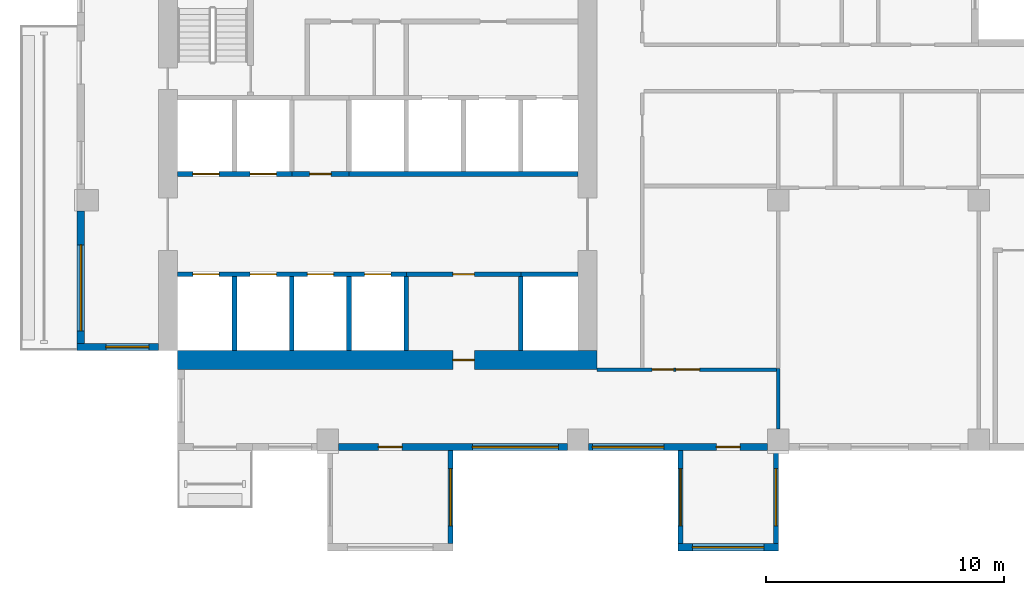
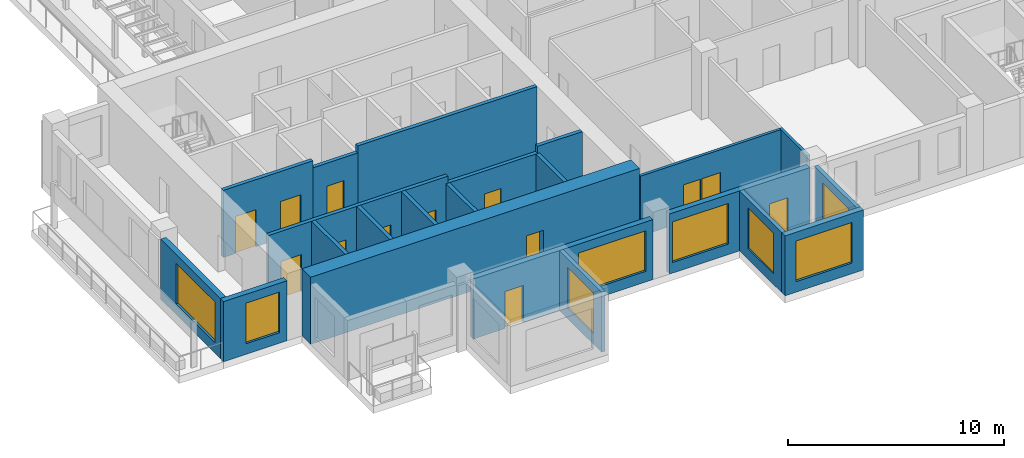
# One storey, part 4 of 14: 22 walls, 13 doors, 8 windows, 21 openings.
"""IFC4 building model written with IfcOpenShell, lengths in metres."""

from ifc_helpers import new_model, si_unit, direction, frame, frame_2d, origin, place, context, subcontext, project, spatial, rectangle, extrude, source, transform, mapped, material, layer, layer_set, type_object, element, fill, save


model = new_model("IFC4")

# Units and contexts
model_context = context("Model", 3, precision=1e-05, world=origin(), true_north=direction((0.0, 1.0)))
body_context = subcontext(model_context, "Body", "Model", "MODEL_VIEW")
ifc_project = project(units=[si_unit("LENGTHUNIT", "METRE"), si_unit("AREAUNIT", "SQUARE_METRE"), si_unit("VOLUMEUNIT", "CUBIC_METRE"), si_unit("PLANEANGLEUNIT", "RADIAN"), si_unit("MASSUNIT", "GRAM", prefix="KILO")], contexts=[model_context])

# Site, building, storey
site_placement = place(None, origin())
site = spatial("IfcSite", under=ifc_project, at=site_placement, CompositionType="ELEMENT")
building_placement = place(site_placement, origin())
building = spatial("IfcBuilding", under=site, at=building_placement, Name="Aurelian Terraces", CompositionType="ELEMENT")
storey_placement = place(building_placement, frame((0.0, 0.0, 185.4)))
storey = spatial("IfcBuildingStorey", under=building, at=storey_placement, Name="L40", CompositionType="ELEMENT", Elevation=185.4)

# Wall, opening, door
ifc_material_1 = material(Name="Concrete fc' 70 MPa", Category="concrete")
ifc_layer_1 = layer(ifc_material_1, 0.8)
ifc_layer_set_1 = layer_set([ifc_layer_1], Name="CORE WALL 800 FC70")
wall_type_1 = type_object("IfcWallType", Name="CORE WALL 800 FC70", PredefinedType="SHEAR", material=ifc_layer_set_1)
shared_shape_1 = source(origin(), body_context, "Body", "SweptSolid", [
    extrude(rectangle(XDim=17.6, YDim=0.8, at=frame_2d((8.8, 0.0))), origin(), (0.0, 0.0, 1.0), 3.8),
])
wall_1_placement = place(storey_placement, frame((4.2, 3.8, 0.0), z_axis=(0.0, 0.0, 1.0), x_axis=(1.0, 0.0, 0.0)))
wall_1 = element("IfcWall", 1, at=wall_1_placement, inside=storey, type_object=wall_type_1, Name="Core wall S L40", PredefinedType="SHEAR", context=body_context, shape_type="MappedRepresentation", body=[
    mapped(shared_shape_1, transform((0.0, 0.0, 0.0), scale=1.0)),
])
shared_shape_2 = source(origin(), body_context, "Body", "SweptSolid", [
    extrude(rectangle(XDim=0.9, YDim=2.1, at=frame_2d((0.45, 1.05))), frame((0.0, 0.41, 0.0), z_axis=(0.0, -1.0, 0.0), x_axis=(1.0, 0.0, 0.0)), (0.0, 0.0, 1.0), 0.82),
])
opening_1_placement = place(wall_1_placement, frame((11.55, 0.0, 0.0)))
opening_1 = element("IfcOpeningElement", 2, at=opening_1_placement, cuts=wall_1, Name="Opening 64325", PredefinedType="OPENING", context=body_context, shape_type="MappedRepresentation", body=[
    mapped(shared_shape_2, transform((0.0, 0.0, 0.0), scale=1.0)),
])
ifc_material_2 = material(Name="Steel door leaf", Category="steel")
door_type_1 = type_object("IfcDoorType", Name="Core service door 900x2100 right", OperationType="SINGLE_SWING_RIGHT", PredefinedType="DOOR", material=ifc_material_2)
shared_shape_3 = source(origin(), body_context, "Body", "SweptSolid", [
    extrude(rectangle(XDim=0.9, YDim=2.1, at=frame_2d((0.45, 1.05))), frame((0.0, 0.025, 0.0), z_axis=(0.0, -1.0, 0.0), x_axis=(1.0, 0.0, 0.0)), (0.0, 0.0, 1.0), 0.05),
])
door_1_placement = place(opening_1_placement, origin())
door_1 = element("IfcDoor", 3, at=door_1_placement, inside=storey, type_object=door_type_1, Name="Core door 64325", OperationType="SINGLE_SWING_RIGHT", OverallHeight=2.1, OverallWidth=0.9, PredefinedType="DOOR", context=body_context, shape_type="MappedRepresentation", body=[
    mapped(shared_shape_3, transform((0.0, 0.0, 0.0), scale=1.0)),
])
fill(opening_1, door_1)

# Wall, openings, window, door
ifc_material_3 = material(Name="Terracotta rainscreen cladding", Category="masonry")
ifc_layer_2 = layer(ifc_material_3, 0.3)
ifc_layer_set_2 = layer_set([ifc_layer_2], Name="EW-300")
wall_type_2 = type_object("IfcWallType", Name="EW-300", PredefinedType="STANDARD", material=ifc_layer_set_2)
shared_shape_4 = source(origin(), body_context, "Body", "SweptSolid", [
    extrude(rectangle(XDim=7.5, YDim=0.3, at=frame_2d((3.75, 0.0))), origin(), (0.0, 0.0, 1.0), 3.4),
])
wall_2_placement = place(storey_placement, frame((21.45, 0.15, 0.0), z_axis=(0.0, 0.0, 1.0), x_axis=(1.0, 0.0, 0.0)))
wall_2 = element("IfcWall", 4, at=wall_2_placement, inside=storey, type_object=wall_type_2, Name="External wall L40 F01.4", PredefinedType="STANDARD", context=body_context, shape_type="MappedRepresentation", body=[
    mapped(shared_shape_4, transform((0.0, 0.0, 0.0), scale=1.0)),
])
shared_shape_5 = source(origin(), body_context, "Body", "SweptSolid", [
    extrude(rectangle(XDim=3.0, YDim=2.3, at=frame_2d((1.5, 1.15))), frame((0.0, 0.16, 0.0), z_axis=(0.0, -1.0, 0.0), x_axis=(1.0, 0.0, 0.0)), (0.0, 0.0, 1.0), 0.32),
])
opening_2_placement = place(wall_2_placement, frame((0.15, 0.0, 0.6)))
opening_2 = element("IfcOpeningElement", 5, at=opening_2_placement, cuts=wall_2, Name="Opening W3023", PredefinedType="OPENING", context=body_context, shape_type="MappedRepresentation", body=[
    mapped(shared_shape_5, transform((0.0, 0.0, 0.0), scale=1.0)),
])
shared_shape_6 = source(origin(), body_context, "Body", "SweptSolid", [
    extrude(rectangle(XDim=1.0, YDim=2.1, at=frame_2d((0.5, 1.05))), frame((0.0, 0.16, 0.0), z_axis=(0.0, -1.0, 0.0), x_axis=(1.0, 0.0, 0.0)), (0.0, 0.0, 1.0), 0.32),
])
opening_3_placement = place(wall_2_placement, frame((5.35, 0.0, 0.0)))
opening_3 = element("IfcOpeningElement", 6, at=opening_3_placement, cuts=wall_2, Name="Opening 840002", PredefinedType="OPENING", context=body_context, shape_type="MappedRepresentation", body=[
    mapped(shared_shape_6, transform((0.0, 0.0, 0.0), scale=1.0)),
])
ifc_material_4 = material(Name="Clear glazing", Category="glass")
window_type_1 = type_object("IfcWindowType", Name="W-3000x2300", PartitioningType="SINGLE_PANEL", PredefinedType="WINDOW", material=ifc_material_4)
shared_shape_7 = source(origin(), body_context, "Body", "SweptSolid", [
    extrude(rectangle(XDim=3.0, YDim=2.3, at=frame_2d((1.5, 1.15))), frame((0.0, 0.03, 0.0), z_axis=(0.0, -1.0, 0.0), x_axis=(1.0, 0.0, 0.0)), (0.0, 0.0, 1.0), 0.06),
])
window_1_placement = place(opening_2_placement, origin())
window_1 = element("IfcWindow", 7, at=window_1_placement, inside=storey, type_object=window_type_1, Name="Window L40 L40-F01-04-0", OverallHeight=2.3, OverallWidth=3.0, PartitioningType="SINGLE_PANEL", PredefinedType="WINDOW", context=body_context, shape_type="MappedRepresentation", body=[
    mapped(shared_shape_7, transform((0.0, 0.0, 0.0), scale=1.0)),
])
fill(opening_2, window_1)
ifc_material_5 = material(Name="Timber door leaf", Category="wood")
door_type_2 = type_object("IfcDoorType", Name="Room door 1000x2100 left", OperationType="SINGLE_SWING_LEFT", PredefinedType="DOOR", material=ifc_material_5)
shared_shape_8 = source(origin(), body_context, "Body", "SweptSolid", [
    extrude(rectangle(XDim=1.0, YDim=2.1, at=frame_2d((0.5, 1.05))), frame((0.0, 0.025, 0.0), z_axis=(0.0, -1.0, 0.0), x_axis=(1.0, 0.0, 0.0)), (0.0, 0.0, 1.0), 0.05),
])
door_2_placement = place(opening_3_placement, origin())
door_2 = element("IfcDoor", 8, at=door_2_placement, inside=storey, type_object=door_type_2, Name="Door 840002", OperationType="SINGLE_SWING_LEFT", OverallHeight=2.1, OverallWidth=1.0, PredefinedType="DOOR", context=body_context, shape_type="MappedRepresentation", body=[
    mapped(shared_shape_8, transform((0.0, 0.0, 0.0), scale=1.0)),
])
fill(opening_3, door_2)

# Wall, opening, window
shared_shape_9 = source(origin(), body_context, "Body", "SweptSolid", [
    extrude(rectangle(XDim=3.4, YDim=0.3, at=frame_2d((1.7, 0.0))), origin(), (0.0, 0.0, 1.0), 3.4),
])
wall_3_placement = place(storey_placement, frame((0.0, 4.35, 0.0), z_axis=(0.0, 0.0, 1.0), x_axis=(1.0, 0.0, 0.0)))
wall_3 = element("IfcWall", 9, at=wall_3_placement, inside=storey, type_object=wall_type_2, Name="External wall L40 F23.40", PredefinedType="STANDARD", context=body_context, shape_type="MappedRepresentation", body=[
    mapped(shared_shape_9, transform((0.0, 0.0, 0.0), scale=1.0)),
])
shared_shape_10 = source(origin(), body_context, "Body", "SweptSolid", [
    extrude(rectangle(XDim=1.8, YDim=2.3, at=frame_2d((0.9, 1.15))), frame((0.0, 0.16, 0.0), z_axis=(0.0, -1.0, 0.0), x_axis=(1.0, 0.0, 0.0)), (0.0, 0.0, 1.0), 0.32),
])
opening_4_placement = place(wall_3_placement, frame((1.2, 0.0, 0.6)))
opening_4 = element("IfcOpeningElement", 10, at=opening_4_placement, cuts=wall_3, Name="Opening W1823", PredefinedType="OPENING", context=body_context, shape_type="MappedRepresentation", body=[
    mapped(shared_shape_10, transform((0.0, 0.0, 0.0), scale=1.0)),
])
window_type_2 = type_object("IfcWindowType", Name="W-1800x2300", PartitioningType="SINGLE_PANEL", PredefinedType="WINDOW", material=ifc_material_4)
shared_shape_11 = source(origin(), body_context, "Body", "SweptSolid", [
    extrude(rectangle(XDim=1.8, YDim=2.3, at=frame_2d((0.9, 1.15))), frame((0.0, 0.03, 0.0), z_axis=(0.0, -1.0, 0.0), x_axis=(1.0, 0.0, 0.0)), (0.0, 0.0, 1.0), 0.06),
])
window_2_placement = place(opening_4_placement, origin())
window_2 = element("IfcWindow", 11, at=window_2_placement, inside=storey, type_object=window_type_2, Name="Window L40 L40-F23-40-0", OverallHeight=2.3, OverallWidth=1.8, PartitioningType="SINGLE_PANEL", PredefinedType="WINDOW", context=body_context, shape_type="MappedRepresentation", body=[
    mapped(shared_shape_11, transform((0.0, 0.0, 0.0), scale=1.0)),
])
fill(opening_4, window_2)

ifc_material_6 = material(Name="Concrete fc' 40 MPa", Category="concrete")
ifc_layer_3 = layer(ifc_material_6, 0.2)
ifc_layer_set_3 = layer_set([ifc_layer_3], Name="BOX BEARING WALL 200")
wall_type_3 = type_object("IfcWallType", Name="BOX BEARING WALL 200", PredefinedType="SOLIDWALL", material=ifc_layer_set_3)
shared_shape_12 = source(origin(), body_context, "Body", "SweptSolid", [
    extrude(rectangle(XDim=3.9, YDim=0.2, at=frame_2d((1.95, 0.0))), origin(), (0.0, 0.0, 1.0), 3.4),
])
wall_4_placement = place(storey_placement, frame((15.65, 0.0, 0.0), z_axis=(0.0, 0.0, 1.0), x_axis=(0.0, -1.0, 0.0)))
wall_4 = element("IfcWall", 12, at=wall_4_placement, inside=storey, type_object=wall_type_3, Name="Box return L40 J54.2", PredefinedType="SOLIDWALL", context=body_context, shape_type="MappedRepresentation", body=[
    mapped(shared_shape_12, transform((0.0, 0.0, 0.0), scale=1.0)),
])
shared_shape_13 = source(origin(), body_context, "Body", "SweptSolid", [
    extrude(rectangle(XDim=2.4, YDim=2.3, at=frame_2d((1.2, 1.15))), frame((0.0, 0.11, 0.0), z_axis=(0.0, -1.0, 0.0), x_axis=(1.0, 0.0, 0.0)), (0.0, 0.0, 1.0), 0.22),
])
opening_5_placement = place(wall_4_placement, frame((0.75, 0.0, 0.6)))
opening_5 = element("IfcOpeningElement", 13, at=opening_5_placement, cuts=wall_4, Name="Opening W2423", PredefinedType="OPENING", context=body_context, shape_type="MappedRepresentation", body=[
    mapped(shared_shape_13, transform((0.0, 0.0, 0.0), scale=1.0)),
])
window_type_3 = type_object("IfcWindowType", Name="W-2400x2300", PartitioningType="SINGLE_PANEL", PredefinedType="WINDOW", material=ifc_material_4)
shared_shape_14 = source(origin(), body_context, "Body", "SweptSolid", [
    extrude(rectangle(XDim=2.4, YDim=2.3, at=frame_2d((1.2, 1.15))), frame((0.0, 0.03, 0.0), z_axis=(0.0, -1.0, 0.0), x_axis=(1.0, 0.0, 0.0)), (0.0, 0.0, 1.0), 0.06),
])
window_3_placement = place(opening_5_placement, origin())
window_3 = element("IfcWindow", 14, at=window_3_placement, inside=storey, type_object=window_type_3, Name="Window L40 J54-S2", OverallHeight=2.3, OverallWidth=2.4, PartitioningType="SINGLE_PANEL", PredefinedType="WINDOW", context=body_context, shape_type="MappedRepresentation", body=[
    mapped(shared_shape_14, transform((0.0, 0.0, 0.0), scale=1.0)),
])
fill(opening_5, window_3)

wall_5_placement = place(storey_placement, frame((25.3, 0.0, 0.0), z_axis=(0.0, 0.0, 1.0), x_axis=(0.0, -1.0, 0.0)))
wall_5 = element("IfcWall", 15, at=wall_5_placement, inside=storey, type_object=wall_type_3, Name="Box return L40 J55.1", PredefinedType="SOLIDWALL", context=body_context, shape_type="MappedRepresentation", body=[
    mapped(shared_shape_12, transform((0.0, 0.0, 0.0), scale=1.0)),
])
opening_6_placement = place(wall_5_placement, frame((0.75, 0.0, 0.6)))
opening_6 = element("IfcOpeningElement", 16, at=opening_6_placement, cuts=wall_5, Name="Opening W2423", PredefinedType="OPENING", context=body_context, shape_type="MappedRepresentation", body=[
    mapped(shared_shape_13, transform((0.0, 0.0, 0.0), scale=1.0)),
])
window_4_placement = place(opening_6_placement, origin())
window_4 = element("IfcWindow", 17, at=window_4_placement, inside=storey, type_object=window_type_3, Name="Window L40 J55-S1", OverallHeight=2.3, OverallWidth=2.4, PartitioningType="SINGLE_PANEL", PredefinedType="WINDOW", context=body_context, shape_type="MappedRepresentation", body=[
    mapped(shared_shape_14, transform((0.0, 0.0, 0.0), scale=1.0)),
])
fill(opening_6, window_4)

wall_6_placement = place(storey_placement, frame((29.3, 0.0, 0.0), z_axis=(0.0, 0.0, 1.0), x_axis=(0.0, -1.0, 0.0)))
wall_6 = element("IfcWall", 18, at=wall_6_placement, inside=storey, type_object=wall_type_3, Name="Box return L40 J55.2", PredefinedType="SOLIDWALL", context=body_context, shape_type="MappedRepresentation", body=[
    mapped(shared_shape_12, transform((0.0, 0.0, 0.0), scale=1.0)),
])
opening_7_placement = place(wall_6_placement, frame((0.75, 0.0, 0.6)))
opening_7 = element("IfcOpeningElement", 19, at=opening_7_placement, cuts=wall_6, Name="Opening W2423", PredefinedType="OPENING", context=body_context, shape_type="MappedRepresentation", body=[
    mapped(shared_shape_13, transform((0.0, 0.0, 0.0), scale=1.0)),
])
window_5_placement = place(opening_7_placement, origin())
window_5 = element("IfcWindow", 20, at=window_5_placement, inside=storey, type_object=window_type_3, Name="Window L40 J55-S2", OverallHeight=2.3, OverallWidth=2.4, PartitioningType="SINGLE_PANEL", PredefinedType="WINDOW", context=body_context, shape_type="MappedRepresentation", body=[
    mapped(shared_shape_14, transform((0.0, 0.0, 0.0), scale=1.0)),
])
fill(opening_7, window_5)

ifc_layer_4 = layer(ifc_material_6, 0.3)
ifc_layer_set_4 = layer_set([ifc_layer_4], Name="BOX BEARING WALL 300")
wall_type_4 = type_object("IfcWallType", Name="BOX BEARING WALL 300", PredefinedType="SOLIDWALL", material=ifc_layer_set_4)
shared_shape_15 = source(origin(), body_context, "Body", "SweptSolid", [
    extrude(rectangle(XDim=4.2, YDim=0.3, at=frame_2d((2.1, 0.0))), origin(), (0.0, 0.0, 1.0), 3.4),
])
wall_7_placement = place(storey_placement, frame((25.2, -4.05, 0.0), z_axis=(0.0, 0.0, 1.0), x_axis=(1.0, 0.0, 0.0)))
wall_7 = element("IfcWall", 21, at=wall_7_placement, inside=storey, type_object=wall_type_4, Name="Box wall L40 J55", PredefinedType="SOLIDWALL", context=body_context, shape_type="MappedRepresentation", body=[
    mapped(shared_shape_15, transform((0.0, 0.0, 0.0), scale=1.0)),
])
opening_8_placement = place(wall_7_placement, frame((0.6, 0.0, 0.6)))
opening_8 = element("IfcOpeningElement", 22, at=opening_8_placement, cuts=wall_7, Name="Opening W3023", PredefinedType="OPENING", context=body_context, shape_type="MappedRepresentation", body=[
    mapped(shared_shape_5, transform((0.0, 0.0, 0.0), scale=1.0)),
])
window_6_placement = place(opening_8_placement, origin())
window_6 = element("IfcWindow", 23, at=window_6_placement, inside=storey, type_object=window_type_1, Name="Window L40 J55-F1", OverallHeight=2.3, OverallWidth=3.0, PartitioningType="SINGLE_PANEL", PredefinedType="WINDOW", context=body_context, shape_type="MappedRepresentation", body=[
    mapped(shared_shape_7, transform((0.0, 0.0, 0.0), scale=1.0)),
])
fill(opening_8, window_6)

shared_shape_16 = source(origin(), body_context, "Body", "SweptSolid", [
    extrude(rectangle(XDim=5.85, YDim=0.3, at=frame_2d((2.925, 0.0))), origin(), (0.0, 0.0, 1.0), 3.4),
])
wall_8_placement = place(storey_placement, frame((0.15, 10.05, 0.0), z_axis=(0.0, 0.0, 1.0), x_axis=(0.0, -1.0, 0.0)))
wall_8 = element("IfcWall", 24, at=wall_8_placement, inside=storey, type_object=wall_type_2, Name="External wall L40 F22.39", PredefinedType="STANDARD", context=body_context, shape_type="MappedRepresentation", body=[
    mapped(shared_shape_16, transform((0.0, 0.0, 0.0), scale=1.0)),
])
shared_shape_17 = source(origin(), body_context, "Body", "SweptSolid", [
    extrude(rectangle(XDim=3.6, YDim=2.3, at=frame_2d((1.8, 1.15))), frame((0.0, 0.16, 0.0), z_axis=(0.0, -1.0, 0.0), x_axis=(1.0, 0.0, 0.0)), (0.0, 0.0, 1.0), 0.32),
])
opening_9_placement = place(wall_8_placement, frame((1.425, 0.0, 0.6)))
opening_9 = element("IfcOpeningElement", 25, at=opening_9_placement, cuts=wall_8, Name="Opening W3623", PredefinedType="OPENING", context=body_context, shape_type="MappedRepresentation", body=[
    mapped(shared_shape_17, transform((0.0, 0.0, 0.0), scale=1.0)),
])
window_type_4 = type_object("IfcWindowType", Name="W-3600x2300", PartitioningType="SINGLE_PANEL", PredefinedType="WINDOW", material=ifc_material_4)
shared_shape_18 = source(origin(), body_context, "Body", "SweptSolid", [
    extrude(rectangle(XDim=3.6, YDim=2.3, at=frame_2d((1.8, 1.15))), frame((0.0, 0.03, 0.0), z_axis=(0.0, -1.0, 0.0), x_axis=(1.0, 0.0, 0.0)), (0.0, 0.0, 1.0), 0.06),
])
window_7_placement = place(opening_9_placement, origin())
window_7 = element("IfcWindow", 26, at=window_7_placement, inside=storey, type_object=window_type_4, Name="Window L40 L40-F22-39-2", OverallHeight=2.3, OverallWidth=3.6, PartitioningType="SINGLE_PANEL", PredefinedType="WINDOW", context=body_context, shape_type="MappedRepresentation", body=[
    mapped(shared_shape_18, transform((0.0, 0.0, 0.0), scale=1.0)),
])
fill(opening_9, window_7)

# Wall, openings, window, door
shared_shape_19 = source(origin(), body_context, "Body", "SweptSolid", [
    extrude(rectangle(XDim=9.6, YDim=0.3, at=frame_2d((4.8, 0.0))), origin(), (0.0, 0.0, 1.0), 3.4),
])
wall_9_placement = place(storey_placement, frame((10.95, 0.15, 0.0), z_axis=(0.0, 0.0, 1.0), x_axis=(1.0, 0.0, 0.0)))
wall_9 = element("IfcWall", 27, at=wall_9_placement, inside=storey, type_object=wall_type_2, Name="External wall L40 F01.3", PredefinedType="STANDARD", context=body_context, shape_type="MappedRepresentation", body=[
    mapped(shared_shape_19, transform((0.0, 0.0, 0.0), scale=1.0)),
])
opening_10_placement = place(wall_9_placement, frame((5.625, 0.0, 0.6)))
opening_10 = element("IfcOpeningElement", 28, at=opening_10_placement, cuts=wall_9, Name="Opening W3623", PredefinedType="OPENING", context=body_context, shape_type="MappedRepresentation", body=[
    mapped(shared_shape_17, transform((0.0, 0.0, 0.0), scale=1.0)),
])
opening_11_placement = place(wall_9_placement, frame((1.675, 0.0, 0.0)))
opening_11 = element("IfcOpeningElement", 29, at=opening_11_placement, cuts=wall_9, Name="Opening 840001", PredefinedType="OPENING", context=body_context, shape_type="MappedRepresentation", body=[
    mapped(shared_shape_6, transform((0.0, 0.0, 0.0), scale=1.0)),
])
window_8_placement = place(opening_10_placement, origin())
window_8 = element("IfcWindow", 30, at=window_8_placement, inside=storey, type_object=window_type_4, Name="Window L40 L40-F01-03-1", OverallHeight=2.3, OverallWidth=3.6, PartitioningType="SINGLE_PANEL", PredefinedType="WINDOW", context=body_context, shape_type="MappedRepresentation", body=[
    mapped(shared_shape_18, transform((0.0, 0.0, 0.0), scale=1.0)),
])
fill(opening_10, window_8)
door_3_placement = place(opening_11_placement, origin())
door_3 = element("IfcDoor", 31, at=door_3_placement, inside=storey, type_object=door_type_2, Name="Door 840001", OperationType="SINGLE_SWING_LEFT", OverallHeight=2.1, OverallWidth=1.0, PredefinedType="DOOR", context=body_context, shape_type="MappedRepresentation", body=[
    mapped(shared_shape_8, transform((0.0, 0.0, 0.0), scale=1.0)),
])
fill(opening_11, door_3)

# Walls
ifc_layer_5 = layer(ifc_material_6, 0.2)
ifc_layer_set_5 = layer_set([ifc_layer_5], Name="Lift shaft wall 200")
wall_type_5 = type_object("IfcWallType", Name="Lift shaft wall 200", PredefinedType="SOLIDWALL", material=ifc_layer_set_5)
shared_shape_20 = source(origin(), body_context, "Body", "SweptSolid", [
    extrude(rectangle(XDim=3.1, YDim=0.2, at=frame_2d((1.55, 0.0))), origin(), (0.0, 0.0, 1.0), 3.8),
])
for number, where, z_axis, x_axis, name in (
    (32, (6.6, 4.2, 0.0), (0.0, 0.0, 1.0), (0.0, 1.0, 0.0), "L40 core wall CD-A1"),
    (33, (9.0, 4.2, 0.0), (0.0, 0.0, 1.0), (0.0, 1.0, 0.0), "L40 core wall CD-A2"),
    (34, (11.4, 4.2, 0.0), (0.0, 0.0, 1.0), (0.0, 1.0, 0.0), "L40 core wall CD-A3"),
):
    element("IfcWall", number, at=place(storey_placement, frame(where, z_axis=z_axis, x_axis=x_axis)), inside=storey, type_object=wall_type_5, Name=name, PredefinedType="SOLIDWALL", context=body_context, shape_type="MappedRepresentation", body=[
        mapped(shared_shape_20, transform((0.0, 0.0, 0.0), scale=1.0)),
    ])
shared_shape_21 = source(origin(), body_context, "Body", "SweptSolid", [
    extrude(rectangle(XDim=3.1, YDim=0.2, at=frame_2d((1.55, 0.0))), origin(), (0.0, 0.0, 1.0), 3.4),
])
for number, where, z_axis, x_axis, name in (
    (35, (13.8, 4.2, 0.0), (0.0, 0.0, 1.0), (0.0, 1.0, 0.0), "L40 core wall CD-A4"),
    (36, (18.6, 4.2, 0.0), (0.0, 0.0, 1.0), (0.0, 1.0, 0.0), "L40 core wall CD-A6"),
):
    element("IfcWall", number, at=place(storey_placement, frame(where, z_axis=z_axis, x_axis=x_axis)), inside=storey, type_object=wall_type_5, Name=name, PredefinedType="SOLIDWALL", context=body_context, shape_type="MappedRepresentation", body=[
        mapped(shared_shape_21, transform((0.0, 0.0, 0.0), scale=1.0)),
    ])

# Wall, openings, doors
shared_shape_22 = source(origin(), body_context, "Body", "SweptSolid", [
    extrude(rectangle(XDim=9.6, YDim=0.2, at=frame_2d((4.8, 0.0))), origin(), (0.0, 0.0, 1.0), 3.8),
])
wall_10_placement = place(storey_placement, frame((4.2, 7.4, 0.0), z_axis=(0.0, 0.0, 1.0), x_axis=(1.0, 0.0, 0.0)))
wall_10 = element("IfcWall", 37, at=wall_10_placement, inside=storey, type_object=wall_type_5, Name="L40 core wall CF-AF1", PredefinedType="SOLIDWALL", context=body_context, shape_type="MappedRepresentation", body=[
    mapped(shared_shape_22, transform((0.0, 0.0, 0.0), scale=1.0)),
])
shared_shape_23 = source(origin(), body_context, "Body", "SweptSolid", [
    extrude(rectangle(XDim=1.1, YDim=2.1, at=frame_2d((0.55, 1.05))), frame((0.0, 0.11, 0.0), z_axis=(0.0, -1.0, 0.0), x_axis=(1.0, 0.0, 0.0)), (0.0, 0.0, 1.0), 0.22),
])
opening_12_placement = place(wall_10_placement, frame((0.65, 0.0, 0.0)))
opening_12 = element("IfcOpeningElement", 38, at=opening_12_placement, cuts=wall_10, Name="Opening 64300", PredefinedType="OPENING", context=body_context, shape_type="MappedRepresentation", body=[
    mapped(shared_shape_23, transform((0.0, 0.0, 0.0), scale=1.0)),
])
opening_13_placement = place(wall_10_placement, frame((3.05, 0.0, 0.0)))
opening_13 = element("IfcOpeningElement", 39, at=opening_13_placement, cuts=wall_10, Name="Opening 64301", PredefinedType="OPENING", context=body_context, shape_type="MappedRepresentation", body=[
    mapped(shared_shape_23, transform((0.0, 0.0, 0.0), scale=1.0)),
])
opening_14_placement = place(wall_10_placement, frame((5.45, 0.0, 0.0)))
opening_14 = element("IfcOpeningElement", 40, at=opening_14_placement, cuts=wall_10, Name="Opening 64302", PredefinedType="OPENING", context=body_context, shape_type="MappedRepresentation", body=[
    mapped(shared_shape_23, transform((0.0, 0.0, 0.0), scale=1.0)),
])
opening_15_placement = place(wall_10_placement, frame((7.85, 0.0, 0.0)))
opening_15 = element("IfcOpeningElement", 41, at=opening_15_placement, cuts=wall_10, Name="Opening 64303", PredefinedType="OPENING", context=body_context, shape_type="MappedRepresentation", body=[
    mapped(shared_shape_23, transform((0.0, 0.0, 0.0), scale=1.0)),
])
ifc_material_7 = material(Name="Stainless steel", Category="steel")
door_type_3 = type_object("IfcDoorType", Name="Lift landing door 1100x2100", OperationType="SLIDING_TO_LEFT", PredefinedType="DOOR", material=ifc_material_7)
shared_shape_24 = source(origin(), body_context, "Body", "SweptSolid", [
    extrude(rectangle(XDim=1.1, YDim=2.1, at=frame_2d((0.55, 1.05))), frame((0.0, 0.025, 0.0), z_axis=(0.0, -1.0, 0.0), x_axis=(1.0, 0.0, 0.0)), (0.0, 0.0, 1.0), 0.05),
])
door_4_placement = place(opening_12_placement, origin())
door_4 = element("IfcDoor", 42, at=door_4_placement, inside=storey, type_object=door_type_3, Name="Lift landing door LM1 L40", OperationType="SLIDING_TO_LEFT", OverallHeight=2.1, OverallWidth=1.1, PredefinedType="DOOR", context=body_context, shape_type="MappedRepresentation", body=[
    mapped(shared_shape_24, transform((0.0, 0.0, 0.0), scale=1.0)),
])
fill(opening_12, door_4)
door_5_placement = place(opening_13_placement, origin())
door_5 = element("IfcDoor", 43, at=door_5_placement, inside=storey, type_object=door_type_3, Name="Lift landing door LM2 L40", OperationType="SLIDING_TO_LEFT", OverallHeight=2.1, OverallWidth=1.1, PredefinedType="DOOR", context=body_context, shape_type="MappedRepresentation", body=[
    mapped(shared_shape_24, transform((0.0, 0.0, 0.0), scale=1.0)),
])
fill(opening_13, door_5)
door_6_placement = place(opening_14_placement, origin())
door_6 = element("IfcDoor", 44, at=door_6_placement, inside=storey, type_object=door_type_3, Name="Lift landing door LM3 L40", OperationType="SLIDING_TO_LEFT", OverallHeight=2.1, OverallWidth=1.1, PredefinedType="DOOR", context=body_context, shape_type="MappedRepresentation", body=[
    mapped(shared_shape_24, transform((0.0, 0.0, 0.0), scale=1.0)),
])
fill(opening_14, door_6)
door_7_placement = place(opening_15_placement, origin())
door_7 = element("IfcDoor", 45, at=door_7_placement, inside=storey, type_object=door_type_3, Name="Lift landing door LM4 L40", OperationType="SLIDING_TO_LEFT", OverallHeight=2.1, OverallWidth=1.1, PredefinedType="DOOR", context=body_context, shape_type="MappedRepresentation", body=[
    mapped(shared_shape_24, transform((0.0, 0.0, 0.0), scale=1.0)),
])
fill(opening_15, door_7)

# Wall
wall_11_placement = place(storey_placement, frame((11.4, 11.6, 0.0), z_axis=(0.0, 0.0, 1.0), x_axis=(1.0, 0.0, 0.0)))
element("IfcWall", 46, at=wall_11_placement, inside=storey, type_object=wall_type_5, Name="L40 core wall CF-BF3", PredefinedType="SOLIDWALL", context=body_context, shape_type="MappedRepresentation", body=[
    mapped(shared_shape_22, transform((0.0, 0.0, 0.0), scale=1.0)),
])

# Wall, openings, doors
shared_shape_25 = source(origin(), body_context, "Body", "SweptSolid", [
    extrude(rectangle(XDim=4.8, YDim=0.2, at=frame_2d((2.4, 0.0))), origin(), (0.0, 0.0, 1.0), 3.8),
])
wall_12_placement = place(storey_placement, frame((4.2, 11.6, 0.0), z_axis=(0.0, 0.0, 1.0), x_axis=(1.0, 0.0, 0.0)))
wall_12 = element("IfcWall", 47, at=wall_12_placement, inside=storey, type_object=wall_type_5, Name="L40 core wall CF-BF1", PredefinedType="SOLIDWALL", context=body_context, shape_type="MappedRepresentation", body=[
    mapped(shared_shape_25, transform((0.0, 0.0, 0.0), scale=1.0)),
])
opening_16_placement = place(wall_12_placement, frame((0.65, 0.0, 0.0)))
opening_16 = element("IfcOpeningElement", 48, at=opening_16_placement, cuts=wall_12, Name="Opening 64305", PredefinedType="OPENING", context=body_context, shape_type="MappedRepresentation", body=[
    mapped(shared_shape_23, transform((0.0, 0.0, 0.0), scale=1.0)),
])
opening_17_placement = place(wall_12_placement, frame((3.05, 0.0, 0.0)))
opening_17 = element("IfcOpeningElement", 49, at=opening_17_placement, cuts=wall_12, Name="Opening 64306", PredefinedType="OPENING", context=body_context, shape_type="MappedRepresentation", body=[
    mapped(shared_shape_23, transform((0.0, 0.0, 0.0), scale=1.0)),
])
door_8_placement = place(opening_16_placement, origin())
door_8 = element("IfcDoor", 50, at=door_8_placement, inside=storey, type_object=door_type_3, Name="Lift landing door LM5 L40", OperationType="SLIDING_TO_LEFT", OverallHeight=2.1, OverallWidth=1.1, PredefinedType="DOOR", context=body_context, shape_type="MappedRepresentation", body=[
    mapped(shared_shape_24, transform((0.0, 0.0, 0.0), scale=1.0)),
])
fill(opening_16, door_8)
door_9_placement = place(opening_17_placement, origin())
door_9 = element("IfcDoor", 51, at=door_9_placement, inside=storey, type_object=door_type_3, Name="Lift landing door LM6 L40", OperationType="SLIDING_TO_LEFT", OverallHeight=2.1, OverallWidth=1.1, PredefinedType="DOOR", context=body_context, shape_type="MappedRepresentation", body=[
    mapped(shared_shape_24, transform((0.0, 0.0, 0.0), scale=1.0)),
])
fill(opening_17, door_9)

# Wall, opening, door
shared_shape_26 = source(origin(), body_context, "Body", "SweptSolid", [
    extrude(rectangle(XDim=2.4, YDim=0.2, at=frame_2d((1.2, 0.0))), origin(), (0.0, 0.0, 1.0), 3.4),
])
wall_13_placement = place(storey_placement, frame((9.0, 11.6, 0.0), z_axis=(0.0, 0.0, 1.0), x_axis=(1.0, 0.0, 0.0)))
wall_13 = element("IfcWall", 52, at=wall_13_placement, inside=storey, type_object=wall_type_5, Name="L40 core wall CF-BF2", PredefinedType="SOLIDWALL", context=body_context, shape_type="MappedRepresentation", body=[
    mapped(shared_shape_26, transform((0.0, 0.0, 0.0), scale=1.0)),
])
shared_shape_27 = source(origin(), body_context, "Body", "SweptSolid", [
    extrude(rectangle(XDim=0.9, YDim=2.1, at=frame_2d((0.45, 1.05))), frame((0.0, 0.11, 0.0), z_axis=(0.0, -1.0, 0.0), x_axis=(1.0, 0.0, 0.0)), (0.0, 0.0, 1.0), 0.22),
])
opening_18_placement = place(wall_13_placement, frame((0.75, 0.0, 0.0)))
opening_18 = element("IfcOpeningElement", 53, at=opening_18_placement, cuts=wall_13, Name="Opening 64307", PredefinedType="OPENING", context=body_context, shape_type="MappedRepresentation", body=[
    mapped(shared_shape_27, transform((0.0, 0.0, 0.0), scale=1.0)),
])
door_type_4 = type_object("IfcDoorType", Name="Core service door 900x2100", OperationType="SINGLE_SWING_LEFT", PredefinedType="DOOR", material=ifc_material_2)
door_10_placement = place(opening_18_placement, origin())
door_10 = element("IfcDoor", 54, at=door_10_placement, inside=storey, type_object=door_type_4, Name="Room door 64307", OperationType="SINGLE_SWING_LEFT", OverallHeight=2.1, OverallWidth=0.9, PredefinedType="DOOR", context=body_context, shape_type="MappedRepresentation", body=[
    mapped(shared_shape_3, transform((0.0, 0.0, 0.0), scale=1.0)),
])
fill(opening_18, door_10)

shared_shape_28 = source(origin(), body_context, "Body", "SweptSolid", [
    extrude(rectangle(XDim=4.8, YDim=0.2, at=frame_2d((2.4, 0.0))), origin(), (0.0, 0.0, 1.0), 3.4),
])
wall_14_placement = place(storey_placement, frame((13.8, 7.4, 0.0), z_axis=(0.0, 0.0, 1.0), x_axis=(1.0, 0.0, 0.0)))
wall_14 = element("IfcWall", 55, at=wall_14_placement, inside=storey, type_object=wall_type_5, Name="L40 core wall CF-AF2", PredefinedType="SOLIDWALL", context=body_context, shape_type="MappedRepresentation", body=[
    mapped(shared_shape_28, transform((0.0, 0.0, 0.0), scale=1.0)),
])
opening_19_placement = place(wall_14_placement, frame((1.95, 0.0, 0.0)))
opening_19 = element("IfcOpeningElement", 56, at=opening_19_placement, cuts=wall_14, Name="Opening 64304", PredefinedType="OPENING", context=body_context, shape_type="MappedRepresentation", body=[
    mapped(shared_shape_27, transform((0.0, 0.0, 0.0), scale=1.0)),
])
door_11_placement = place(opening_19_placement, origin())
door_11 = element("IfcDoor", 57, at=door_11_placement, inside=storey, type_object=door_type_1, Name="Room door 64304", OperationType="SINGLE_SWING_RIGHT", OverallHeight=2.1, OverallWidth=0.9, PredefinedType="DOOR", context=body_context, shape_type="MappedRepresentation", body=[
    mapped(shared_shape_3, transform((0.0, 0.0, 0.0), scale=1.0)),
])
fill(opening_19, door_11)

# Walls
shared_shape_29 = source(origin(), body_context, "Body", "SweptSolid", [
    extrude(rectangle(XDim=2.4, YDim=0.2, at=frame_2d((1.2, 0.0))), origin(), (0.0, 0.0, 1.0), 3.8),
])
wall_15_placement = place(storey_placement, frame((18.6, 7.4, 0.0), z_axis=(0.0, 0.0, 1.0), x_axis=(1.0, 0.0, 0.0)))
element("IfcWall", 58, at=wall_15_placement, inside=storey, type_object=wall_type_5, Name="L40 core wall CF-AF3", PredefinedType="SOLIDWALL", context=body_context, shape_type="MappedRepresentation", body=[
    mapped(shared_shape_29, transform((0.0, 0.0, 0.0), scale=1.0)),
])
ifc_material_8 = material(Name="Gypsum board on steel studs", Category="steel")
ifc_layer_6 = layer(ifc_material_8, 0.15)
ifc_layer_set_6 = layer_set([ifc_layer_6], Name="Fire partition 150")
wall_type_6 = type_object("IfcWallType", Name="Fire partition 150", PredefinedType="PARTITIONING", material=ifc_layer_set_6)
shared_shape_30 = source(origin(), body_context, "Body", "SweptSolid", [
    extrude(rectangle(XDim=2.556, YDim=0.15, at=frame_2d((1.278, 0.0))), origin(), (0.0, 0.0, 1.0), 3.4),
])
wall_16_placement = place(storey_placement, frame((29.4, 0.899, 0.0), z_axis=(0.0, 0.0, 1.0), x_axis=(0.0, 1.0, 0.0)))
element("IfcWall", 59, at=wall_16_placement, inside=storey, type_object=wall_type_6, Name="Party wall", PredefinedType="PARTITIONING", context=body_context, shape_type="MappedRepresentation", body=[
    mapped(shared_shape_30, transform((0.0, 0.0, 0.0), scale=1.0)),
])

# Wall, openings, doors
ifc_layer_7 = layer(ifc_material_8, 0.15)
ifc_layer_set_7 = layer_set([ifc_layer_7], Name="Partition 150")
wall_type_7 = type_object("IfcWallType", Name="Partition 150", PredefinedType="PARTITIONING", material=ifc_layer_set_7)
shared_shape_31 = source(origin(), body_context, "Body", "SweptSolid", [
    extrude(rectangle(XDim=7.525, YDim=0.15, at=frame_2d((3.7625, 0.0))), origin(), (0.0, 0.0, 1.0), 3.4),
])
wall_17_placement = place(storey_placement, frame((21.8, 3.4, 0.0), z_axis=(0.0, 0.0, 1.0), x_axis=(1.0, 0.0, 0.0)))
wall_17 = element("IfcWall", 60, at=wall_17_placement, inside=storey, type_object=wall_type_7, Name="Partition", PredefinedType="PARTITIONING", context=body_context, shape_type="MappedRepresentation", body=[
    mapped(shared_shape_31, transform((0.0, 0.0, 0.0), scale=1.0)),
])
shared_shape_32 = source(origin(), body_context, "Body", "SweptSolid", [
    extrude(rectangle(XDim=1.0, YDim=2.1, at=frame_2d((0.5, 1.05))), frame((0.0, 0.085, 0.0), z_axis=(0.0, -1.0, 0.0), x_axis=(1.0, 0.0, 0.0)), (0.0, 0.0, 1.0), 0.17),
])
opening_20_placement = place(wall_17_placement, frame((3.3, 0.0, 0.0)))
opening_20 = element("IfcOpeningElement", 61, at=opening_20_placement, cuts=wall_17, Name="Opening 740004", PredefinedType="OPENING", context=body_context, shape_type="MappedRepresentation", body=[
    mapped(shared_shape_32, transform((0.0, 0.0, 0.0), scale=1.0)),
])
shared_shape_33 = source(origin(), body_context, "Body", "SweptSolid", [
    extrude(rectangle(XDim=0.9, YDim=2.1, at=frame_2d((0.45, 1.05))), frame((0.0, 0.085, 0.0), z_axis=(0.0, -1.0, 0.0), x_axis=(1.0, 0.0, 0.0)), (0.0, 0.0, 1.0), 0.17),
])
opening_21_placement = place(wall_17_placement, frame((2.312, 0.0, 0.0)))
opening_21 = element("IfcOpeningElement", 62, at=opening_21_placement, cuts=wall_17, Name="Opening 740036", PredefinedType="OPENING", context=body_context, shape_type="MappedRepresentation", body=[
    mapped(shared_shape_33, transform((0.0, 0.0, 0.0), scale=1.0)),
])
door_12_placement = place(opening_20_placement, origin())
door_12 = element("IfcDoor", 63, at=door_12_placement, inside=storey, type_object=door_type_2, Name="Door 740004", OperationType="SINGLE_SWING_LEFT", OverallHeight=2.1, OverallWidth=1.0, PredefinedType="DOOR", context=body_context, shape_type="MappedRepresentation", body=[
    mapped(shared_shape_8, transform((0.0, 0.0, 0.0), scale=1.0)),
])
fill(opening_20, door_12)
door_type_5 = type_object("IfcDoorType", Name="Room door 900x2100 left", OperationType="SINGLE_SWING_LEFT", PredefinedType="DOOR", material=ifc_material_5)
door_13_placement = place(opening_21_placement, origin())
door_13 = element("IfcDoor", 64, at=door_13_placement, inside=storey, type_object=door_type_5, Name="Door 740036", OperationType="SINGLE_SWING_LEFT", OverallHeight=2.1, OverallWidth=0.9, PredefinedType="DOOR", context=body_context, shape_type="MappedRepresentation", body=[
    mapped(shared_shape_3, transform((0.0, 0.0, 0.0), scale=1.0)),
])
fill(opening_21, door_13)

save(model, "model.ifc")
